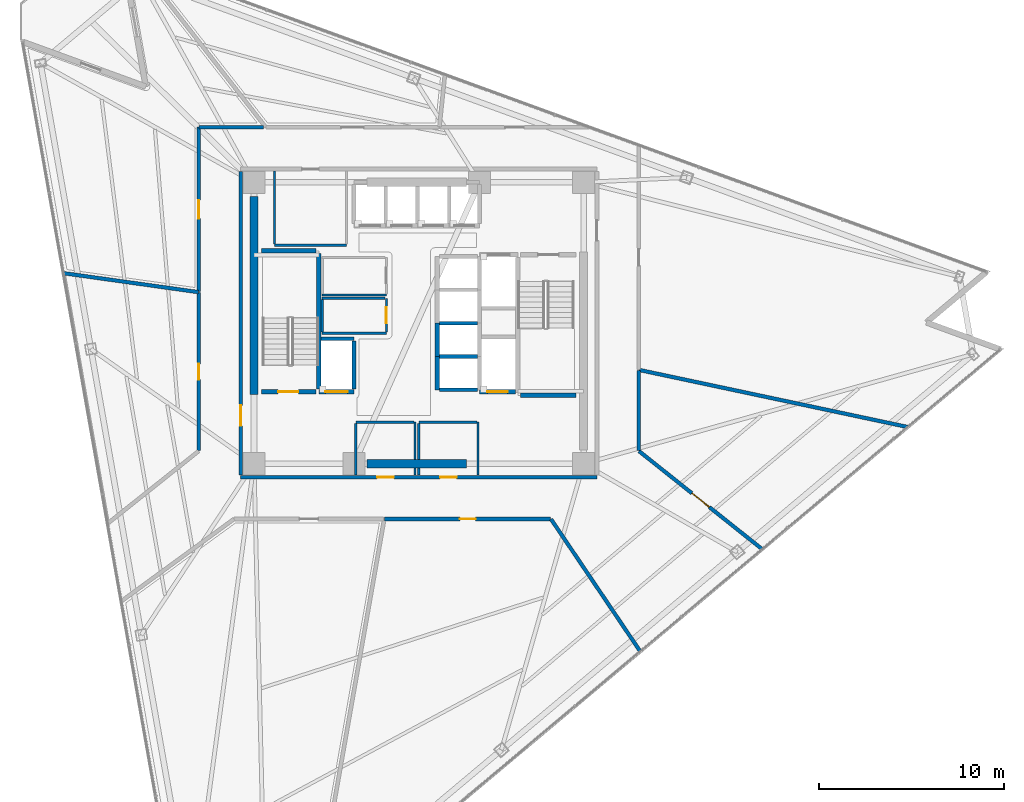
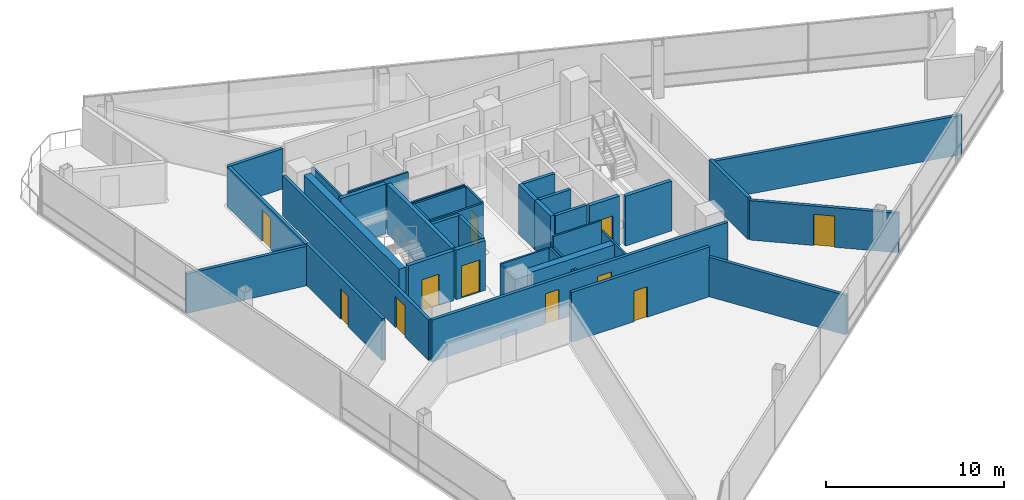
# One storey, part 10 of 16: 41 walls, 11 doors, 11 openings.
"""IFC4 building model written with IfcOpenShell, lengths in metres."""

from ifc_helpers import new_model, si_unit, direction, frame, frame_2d, origin, place, context, subcontext, project, spatial, rectangle, extrude, material, layer, layer_set, type_object, element, fill, save


model = new_model("IFC4")

# Units and contexts
model_context = context("Model", 3, precision=1e-05, world=origin(), true_north=direction((0.0, 1.0)))
body_context = subcontext(model_context, "Body", "Model", "MODEL_VIEW")
ifc_project = project(units=[si_unit("LENGTHUNIT", "METRE"), si_unit("AREAUNIT", "SQUARE_METRE"), si_unit("VOLUMEUNIT", "CUBIC_METRE"), si_unit("PLANEANGLEUNIT", "RADIAN"), si_unit("MASSUNIT", "GRAM", prefix="KILO")], contexts=[model_context])

# Site, building, storey
site_placement = place(None, origin())
site = spatial("IfcSite", under=ifc_project, at=site_placement, CompositionType="ELEMENT")
building_placement = place(site_placement, origin())
building = spatial("IfcBuilding", under=site, at=building_placement, Name="Tharavind Bronze Gate", CompositionType="ELEMENT")
storey_placement = place(building_placement, frame((0.0, 0.0, 181.300048828125)))
storey = spatial("IfcBuildingStorey", under=building, at=storey_placement, Name="L46", CompositionType="ELEMENT", Elevation=181.300048828125)

# Wall, openings, doors
ifc_material_1 = material(Name="Aerated Concrete Block", Category="concrete")
ifc_layer_1 = layer(ifc_material_1, 0.199951171875)
ifc_layer_set_1 = layer_set([ifc_layer_1], Name="Aerated Concrete Block")
wall_type_1 = type_object("IfcWallType", Name="FIRE RATED PARTITION 200", PredefinedType="PARTITIONING", material=ifc_layer_set_1)
wall_1_placement = place(storey_placement, frame((-9.6201171875, -8.320068359375, 0.0), z_axis=(0.0, 0.0, 1.0), x_axis=(1.0, 0.0, 0.0)))
wall_1 = element("IfcWall", 1, at=wall_1_placement, inside=storey, type_object=wall_type_1, Name="L46 south core corridor wall", PredefinedType="PARTITIONING", context=body_context, shape_type="SweptSolid", body=[
    extrude(rectangle(XDim=19.240234375, YDim=0.199951171875, at=frame_2d((9.6201171875, 0.0))), origin(), (0.0, 0.0, 1.0), 2.864990234375),
])
opening_1_placement = place(wall_1_placement, frame((7.3701171875, 0.0, 0.0)))
opening_1 = element("IfcOpeningElement", 2, at=opening_1_placement, cuts=wall_1, Name="Opening ID07", PredefinedType="OPENING", context=body_context, shape_type="SweptSolid", body=[
    extrude(rectangle(XDim=0.89990234375, YDim=2.10009765625, at=frame_2d((0.449951171875, 1.050048828125))), frame((0.0, 0.11009765625, 0.0), z_axis=(0.0, -1.0, 0.0), x_axis=(1.0, 0.0, 0.0)), (0.0, 0.0, 1.0), 0.219951171875),
])
opening_2_placement = place(wall_1_placement, frame((10.77001953125, 0.0, 0.0)))
opening_2 = element("IfcOpeningElement", 3, at=opening_2_placement, cuts=wall_1, Name="Opening ID07", PredefinedType="OPENING", context=body_context, shape_type="SweptSolid", body=[
    extrude(rectangle(XDim=0.89990234375, YDim=2.10009765625, at=frame_2d((0.449951171875, 1.050048828125))), frame((0.0, 0.11009765625, 0.0), z_axis=(0.0, -1.0, 0.0), x_axis=(1.0, 0.0, 0.0)), (0.0, 0.0, 1.0), 0.219951171875),
])
ifc_material_2 = material(Name="Galvanised Fire Steel", Category="steel")
door_type_1 = type_object("IfcDoorType", Name="PLANT AND RISER FIRE DOOR 900X2100", OperationType="SINGLE_SWING_LEFT", PredefinedType="DOOR", material=ifc_material_2)
door_1_placement = place(opening_1_placement, frame((0.89990234375, 0.0, 0.0), z_axis=(0.0, 0.0, 1.0), x_axis=(-1.0, 0.0, 0.0)))
door_1 = element("IfcDoor", 4, at=door_1_placement, inside=storey, type_object=door_type_1, Name="L46 Core Archive Store fire door", OperationType="SINGLE_SWING_LEFT", OverallHeight=2.10009765625, OverallWidth=0.89990234375, PredefinedType="DOOR", context=body_context, shape_type="SweptSolid", body=[
    extrude(rectangle(XDim=0.89990234375, YDim=2.10009765625, at=frame_2d((0.449951171875, 1.050048828125))), frame((0.0, 0.02490234375, 0.0), z_axis=(0.0, -1.0, 0.0), x_axis=(1.0, 0.0, 0.0)), (0.0, 0.0, 1.0), 0.050048828125),
])
fill(opening_1, door_1)
door_2_placement = place(opening_2_placement, frame((0.89990234375, 0.0, 0.0), z_axis=(0.0, 0.0, 1.0), x_axis=(-1.0, 0.0, 0.0)))
door_2 = element("IfcDoor", 5, at=door_2_placement, inside=storey, type_object=door_type_1, Name="L46 Core Server Room fire door", OperationType="SINGLE_SWING_LEFT", OverallHeight=2.10009765625, OverallWidth=0.89990234375, PredefinedType="DOOR", context=body_context, shape_type="SweptSolid", body=[
    extrude(rectangle(XDim=0.89990234375, YDim=2.10009765625, at=frame_2d((0.449951171875, 1.050048828125))), frame((0.0, 0.02490234375, 0.0), z_axis=(0.0, -1.0, 0.0), x_axis=(1.0, 0.0, 0.0)), (0.0, 0.0, 1.0), 0.050048828125),
])
fill(opening_2, door_2)

# Wall, opening, door
wall_2_placement = place(storey_placement, frame((-9.6201171875, 8.199951171875, 0.0), z_axis=(0.0, 0.0, 1.0), x_axis=(0.0, -1.0, 0.0)))
wall_2 = element("IfcWall", 6, at=wall_2_placement, inside=storey, type_object=wall_type_1, Name="L46 west core corridor wall", PredefinedType="PARTITIONING", context=body_context, shape_type="SweptSolid", body=[
    extrude(rectangle(XDim=16.39990234375, YDim=0.199951171875, at=frame_2d((8.199951171875, 0.0))), origin(), (0.0, 0.0, 1.0), 2.764892578125),
])
opening_3_placement = place(wall_2_placement, frame((12.64990234375, 0.0, 0.0)))
opening_3 = element("IfcOpeningElement", 7, at=opening_3_placement, cuts=wall_2, Name="Opening ID01", PredefinedType="OPENING", context=body_context, shape_type="SweptSolid", body=[
    extrude(rectangle(XDim=1.10009765625, YDim=2.14990234375, at=frame_2d((0.550048828125, 1.074951171875))), frame((0.0, 0.11009765625, 0.0), z_axis=(0.0, -1.0, 0.0), x_axis=(1.0, 0.0, 0.0)), (0.0, 0.0, 1.0), 0.219951171875),
])
ifc_material_3 = material(Name="Fire-Rated Steel", Category="steel")
door_type_2 = type_object("IfcDoorType", Name="STAIR CORE FIRE DOOR 1100X2150", OperationType="SINGLE_SWING_LEFT", PredefinedType="DOOR", material=ifc_material_3)
door_3_placement = place(opening_3_placement, frame((1.10009765625, 0.0, 0.0), z_axis=(0.0, 0.0, 1.0), x_axis=(-1.0, 0.0, 0.0)))
door_3 = element("IfcDoor", 8, at=door_3_placement, inside=storey, type_object=door_type_2, Name="L46 south west stair lobby fire door", OperationType="SINGLE_SWING_LEFT", OverallHeight=2.14990234375, OverallWidth=1.10009765625, PredefinedType="DOOR", context=body_context, shape_type="SweptSolid", body=[
    extrude(rectangle(XDim=1.10009765625, YDim=2.14990234375, at=frame_2d((0.550048828125, 1.074951171875))), frame((0.0, 0.02490234375, 0.0), z_axis=(0.0, -1.0, 0.0), x_axis=(1.0, 0.0, 0.0)), (0.0, 0.0, 1.0), 0.050048828125),
])
fill(opening_3, door_3)

# Wall
wall_3_placement = place(storey_placement, frame((-19.193603515625, 2.697509765625, 0.0), z_axis=(0.0, 0.0, 1.0), x_axis=(0.990266577483, -0.139183711406, 0.0)))
element("IfcWall", 9, at=wall_3_placement, inside=storey, type_object=wall_type_1, Name="L46 Public Restrooms Block partition", PredefinedType="PARTITIONING", context=body_context, shape_type="SweptSolid", body=[
    extrude(rectangle(XDim=7.36376953125, YDim=0.199951171875, at=frame_2d((3.681884765625, 0.0))), origin(), (0.0, 0.0, 1.0), 2.71484375),
])

# Wall, opening, door
wall_4_placement = place(storey_placement, frame((-11.8798828125, 1.64794921875, 0.0), z_axis=(0.0, 0.0, 1.0), x_axis=(0.0, -1.0, 0.0)))
wall_4 = element("IfcWall", 10, at=wall_4_placement, inside=storey, type_object=wall_type_1, Name="L46 Public Restrooms Block partition", PredefinedType="PARTITIONING", context=body_context, shape_type="SweptSolid", body=[
    extrude(rectangle(XDim=8.539306640625, YDim=0.199951171875, at=frame_2d((4.26953125, 0.0))), origin(), (0.0, 0.0, 1.0), 2.864990234375),
])
opening_4_placement = place(wall_4_placement, frame((3.844970703125, 0.0, 0.0)))
opening_4 = element("IfcOpeningElement", 11, at=opening_4_placement, cuts=wall_4, Name="Opening ID06", PredefinedType="OPENING", context=body_context, shape_type="SweptSolid", body=[
    extrude(rectangle(XDim=0.85009765625, YDim=2.10009765625, at=frame_2d((0.425048828125, 1.050048828125))), frame((0.0, 0.11009765625, 0.0), z_axis=(0.0, -1.0, 0.0), x_axis=(1.0, 0.0, 0.0)), (0.0, 0.0, 1.0), 0.219951171875),
])
ifc_material_4 = material(Name="Moisture-Resistant Timber", Category="wood")
door_type_3 = type_object("IfcDoorType", Name="BATHROOM PRIVACY DOOR 850X2100", OperationType="SINGLE_SWING_RIGHT", PredefinedType="DOOR", material=ifc_material_4)
door_4_placement = place(opening_4_placement, origin())
door_4 = element("IfcDoor", 12, at=door_4_placement, inside=storey, type_object=door_type_3, Name="L46 Public Restrooms Block door", OperationType="SINGLE_SWING_RIGHT", OverallHeight=2.10009765625, OverallWidth=0.85009765625, PredefinedType="DOOR", context=body_context, shape_type="SweptSolid", body=[
    extrude(rectangle(XDim=0.85009765625, YDim=2.10009765625, at=frame_2d((0.425048828125, 1.050048828125))), frame((0.0, 0.02490234375, 0.0), z_axis=(0.0, -1.0, 0.0), x_axis=(1.0, 0.0, 0.0)), (0.0, 0.0, 1.0), 0.050048828125),
])
fill(opening_4, door_4)

wall_5_placement = place(storey_placement, frame((-1.844482421875, -10.580078125, 0.0), z_axis=(0.0, 0.0, 1.0), x_axis=(1.0, 0.0, 0.0)))
wall_5 = element("IfcWall", 13, at=wall_5_placement, inside=storey, type_object=wall_type_1, Name="L46 Public Restrooms Block partition", PredefinedType="PARTITIONING", context=body_context, shape_type="SweptSolid", body=[
    extrude(rectangle(XDim=8.967529296875, YDim=0.199951171875, at=frame_2d((4.48388671875, 0.0))), origin(), (0.0, 0.0, 1.0), 3.419921875),
])
opening_5_placement = place(wall_5_placement, frame((4.05908203125, 0.0, 0.0)))
opening_5 = element("IfcOpeningElement", 14, at=opening_5_placement, cuts=wall_5, Name="Opening ID06", PredefinedType="OPENING", context=body_context, shape_type="SweptSolid", body=[
    extrude(rectangle(XDim=0.85009765625, YDim=2.10009765625, at=frame_2d((0.425048828125, 1.050048828125))), frame((0.0, 0.11009765625, 0.0), z_axis=(0.0, -1.0, 0.0), x_axis=(1.0, 0.0, 0.0)), (0.0, 0.0, 1.0), 0.219951171875),
])
door_5_placement = place(opening_5_placement, origin())
door_5 = element("IfcDoor", 15, at=door_5_placement, inside=storey, type_object=door_type_3, Name="L46 Public Restrooms Block door", OperationType="SINGLE_SWING_RIGHT", OverallHeight=2.10009765625, OverallWidth=0.85009765625, PredefinedType="DOOR", context=body_context, shape_type="SweptSolid", body=[
    extrude(rectangle(XDim=0.85009765625, YDim=2.10009765625, at=frame_2d((0.425048828125, 1.050048828125))), frame((0.0, 0.02490234375, 0.0), z_axis=(0.0, -1.0, 0.0), x_axis=(1.0, 0.0, 0.0)), (0.0, 0.0, 1.0), 0.050048828125),
])
fill(opening_5, door_5)

# Walls
wall_6_placement = place(storey_placement, frame((7.143798828125, -10.591064453125, 0.0), z_axis=(0.0, 0.0, 1.0), x_axis=(0.559187972466, -0.829040898539, 0.0)))
element("IfcWall", 16, at=wall_6_placement, inside=storey, type_object=wall_type_1, Name="L46 Public Restrooms Block partition", PredefinedType="PARTITIONING", context=body_context, shape_type="SweptSolid", body=[
    extrude(rectangle(XDim=8.5966796875, YDim=0.199951171875, at=frame_2d((4.29833984375, 0.0))), origin(), (0.0, 0.0, 1.0), 2.71484375),
])
wall_7_placement = place(storey_placement, frame((-8.399169921875, 10.580078125, 0.0), z_axis=(0.0, 0.0, 1.0), x_axis=(-1.0, 0.0, 0.0)))
element("IfcWall", 17, at=wall_7_placement, inside=storey, type_object=wall_type_1, Name="L46 Macro Research Office partition", PredefinedType="PARTITIONING", context=body_context, shape_type="SweptSolid", body=[
    extrude(rectangle(XDim=3.480224609375, YDim=0.199951171875, at=frame_2d((1.740234375, 0.0))), origin(), (0.0, 0.0, 1.0), 2.764892578125),
])

# Wall, opening, door
wall_8_placement = place(storey_placement, frame((-11.8798828125, 10.579345703125, 0.0), z_axis=(0.0, 0.0, 1.0), x_axis=(0.0, -1.0, 0.0)))
wall_8 = element("IfcWall", 18, at=wall_8_placement, inside=storey, type_object=wall_type_1, Name="L46 Macro Research Office partition", PredefinedType="PARTITIONING", context=body_context, shape_type="SweptSolid", body=[
    extrude(rectangle(XDim=8.880859375, YDim=0.199951171875, at=frame_2d((4.4404296875, 0.0))), origin(), (0.0, 0.0, 1.0), 2.764892578125),
])
opening_6_placement = place(wall_8_placement, frame((3.94091796875, 0.0, 0.0)))
opening_6 = element("IfcOpeningElement", 19, at=opening_6_placement, cuts=wall_8, Name="Opening ID04", PredefinedType="OPENING", context=body_context, shape_type="SweptSolid", body=[
    extrude(rectangle(XDim=1.0, YDim=2.14990234375, at=frame_2d((0.5, 1.074951171875))), frame((0.0, 0.11009765625, 0.0), z_axis=(0.0, -1.0, 0.0), x_axis=(1.0, 0.0, 0.0)), (0.0, 0.0, 1.0), 0.219951171875),
])
ifc_material_5 = material(Name="Bronze Framed Acoustic Timber", Category="wood")
door_type_4 = type_object("IfcDoorType", Name="OFFICE TENANCY DOOR 1000X2150", OperationType="SINGLE_SWING_RIGHT", PredefinedType="DOOR", material=ifc_material_5)
door_6_placement = place(opening_6_placement, origin())
door_6 = element("IfcDoor", 20, at=door_6_placement, inside=storey, type_object=door_type_4, Name="L46 Macro Research Office door", OperationType="SINGLE_SWING_RIGHT", OverallHeight=2.14990234375, OverallWidth=1.0, PredefinedType="DOOR", context=body_context, shape_type="SweptSolid", body=[
    extrude(rectangle(XDim=1.0, YDim=2.14990234375, at=frame_2d((0.5, 1.074951171875))), frame((0.0, 0.02490234375, 0.0), z_axis=(0.0, -1.0, 0.0), x_axis=(1.0, 0.0, 0.0)), (0.0, 0.0, 1.0), 0.050048828125),
])
fill(opening_6, door_6)

wall_9_placement = place(storey_placement, frame((18.548095703125, -12.21142578125, 0.0), z_axis=(0.0, 0.0, 1.0), x_axis=(-0.782380574332, 0.622800639778, 0.0)))
wall_9 = element("IfcWall", 21, at=wall_9_placement, inside=storey, type_object=wall_type_1, Name="L46 Visitor Reception Lounge partition", PredefinedType="PARTITIONING", context=body_context, shape_type="SweptSolid", body=[
    extrude(rectangle(XDim=8.5107421875, YDim=0.199951171875, at=frame_2d((4.25537109375, 0.0))), origin(), (0.0, 0.0, 1.0), 2.71484375),
])
opening_7_placement = place(wall_9_placement, frame((3.655029296875, 0.0, 0.0)))
opening_7 = element("IfcOpeningElement", 22, at=opening_7_placement, cuts=wall_9, Name="Opening ID05", PredefinedType="OPENING", context=body_context, shape_type="SweptSolid", body=[
    extrude(rectangle(XDim=1.199951171875, YDim=2.14990234375, at=frame_2d((0.60009765625, 1.074951171875))), frame((0.0, 0.11009765625, 0.0), z_axis=(0.0, -1.0, 0.0), x_axis=(1.0, 0.0, 0.0)), (0.0, 0.0, 1.0), 0.219951171875),
])
ifc_material_6 = material(Name="Acoustic Laminated Glass", Category="glass")
door_type_5 = type_object("IfcDoorType", Name="MEETING ROOM GLAZED DOOR 1200X2150", OperationType="SINGLE_SWING_LEFT", PredefinedType="DOOR", material=ifc_material_6)
door_7_placement = place(opening_7_placement, origin())
door_7 = element("IfcDoor", 23, at=door_7_placement, inside=storey, type_object=door_type_5, Name="L46 Visitor Reception Lounge door", OperationType="SINGLE_SWING_LEFT", OverallHeight=2.14990234375, OverallWidth=1.199951171875, PredefinedType="DOOR", context=body_context, shape_type="SweptSolid", body=[
    extrude(rectangle(XDim=1.199951171875, YDim=2.14990234375, at=frame_2d((0.60009765625, 1.074951171875))), frame((0.0, 0.02490234375, 0.0), z_axis=(0.0, -1.0, 0.0), x_axis=(1.0, 0.0, 0.0)), (0.0, 0.0, 1.0), 0.050048828125),
])
fill(opening_7, door_7)

# Walls
wall_10_placement = place(storey_placement, frame((11.8798828125, -6.891357421875, 0.0), z_axis=(0.0, 0.0, 1.0), x_axis=(0.0, 1.0, 0.0)))
element("IfcWall", 24, at=wall_10_placement, inside=storey, type_object=wall_type_1, Name="L46 Visitor Reception Lounge partition", PredefinedType="PARTITIONING", context=body_context, shape_type="SweptSolid", body=[
    extrude(rectangle(XDim=4.33544921875, YDim=0.199951171875, at=frame_2d((2.167724609375, 0.0))), origin(), (0.0, 0.0, 1.0), 2.864990234375),
])
wall_11_placement = place(storey_placement, frame((11.91015625, -2.531494140625, 0.0), z_axis=(0.0, 0.0, 1.0), x_axis=(0.978146920781, -0.207914889719, 0.0)))
element("IfcWall", 25, at=wall_11_placement, inside=storey, type_object=wall_type_1, Name="L46 Visitor Reception Lounge partition", PredefinedType="PARTITIONING", context=body_context, shape_type="SweptSolid", body=[
    extrude(rectangle(XDim=14.82470703125, YDim=0.199951171875, at=frame_2d((7.412353515625, 0.0))), origin(), (0.0, 0.0, 1.0), 2.71484375),
])
ifc_material_7 = material(Name="Metal Stud Gypsum Partition", Category="gypsum")
ifc_layer_2 = layer(ifc_material_7, 0.1201171875)
ifc_layer_set_2 = layer_set([ifc_layer_2], Name="Metal Stud Gypsum Partition")
wall_type_2 = type_object("IfcWallType", Name="INTERIOR PARTITION WALL 120", PredefinedType="PARTITIONING", material=ifc_layer_set_2)
for number, where, z_axis, x_axis, name in (
    (26, (-5.219970703125, 1.52001953125, 0.0), (0.0, 0.0, 1.0), (1.0, 0.0, 0.0), "L46 Cleaner Store Room partition 1"),
    (27, (-5.219970703125, -0.550048828125, 0.0), (0.0, 0.0, 1.0), (1.0, 0.0, 0.0), "L46 Electrical Switch Room partition 1"),
):
    element("IfcWall", number, at=place(storey_placement, frame(where, z_axis=z_axis, x_axis=x_axis)), inside=storey, type_object=wall_type_2, Name=name, PredefinedType="PARTITIONING", context=body_context, shape_type="SweptSolid", body=[
        extrude(rectangle(XDim=3.469970703125, YDim=0.1201171875, at=frame_2d((1.73486328125, 0.0))), origin(), (0.0, 0.0, 1.0), 3.419921875),
    ])

# Wall, opening, door
wall_12_placement = place(storey_placement, frame((-1.75, -0.485107421875, 0.0), z_axis=(0.0, 0.0, 1.0), x_axis=(0.0, 1.0, 0.0)))
wall_12 = element("IfcWall", 28, at=wall_12_placement, inside=storey, type_object=wall_type_2, Name="L46 Electrical Switch Room partition 2", PredefinedType="PARTITIONING", context=body_context, shape_type="SweptSolid", body=[
    extrude(rectangle(XDim=1.8251953125, YDim=0.1201171875, at=frame_2d((0.91259765625, 0.0))), origin(), (0.0, 0.0, 1.0), 3.419921875),
])
opening_8_placement = place(wall_12_placement, frame((0.488037109375, 0.0, 0.0)))
opening_8 = element("IfcOpeningElement", 29, at=opening_8_placement, cuts=wall_12, Name="Opening ID06", PredefinedType="OPENING", context=body_context, shape_type="SweptSolid", body=[
    extrude(rectangle(XDim=0.85009765625, YDim=2.10009765625, at=frame_2d((0.425048828125, 1.050048828125))), frame((0.0, 0.07005859375, 0.0), z_axis=(0.0, -1.0, 0.0), x_axis=(1.0, 0.0, 0.0)), (0.0, 0.0, 1.0), 0.1401171875),
])
door_8_placement = place(opening_8_placement, frame((0.85009765625, 0.0, 0.0), z_axis=(0.0, 0.0, 1.0), x_axis=(-1.0, 0.0, 0.0)))
door_8 = element("IfcDoor", 30, at=door_8_placement, inside=storey, type_object=door_type_3, Name="L46 Electrical Switch Room door", OperationType="SINGLE_SWING_RIGHT", OverallHeight=2.10009765625, OverallWidth=0.85009765625, PredefinedType="DOOR", context=body_context, shape_type="SweptSolid", body=[
    extrude(rectangle(XDim=0.85009765625, YDim=2.10009765625, at=frame_2d((0.425048828125, 1.050048828125))), frame((0.0, 0.02490234375, 0.0), z_axis=(0.0, -1.0, 0.0), x_axis=(1.0, 0.0, 0.0)), (0.0, 0.0, 1.0), 0.050048828125),
])
fill(opening_8, door_8)

# Walls
wall_13_placement = place(storey_placement, frame((-1.81494140625, 1.340087890625, 0.0), z_axis=(0.0, 0.0, 1.0), x_axis=(-1.0, 0.0, 0.0)))
element("IfcWall", 31, at=wall_13_placement, inside=storey, type_object=wall_type_2, Name="L46 Electrical Switch Room partition 3", PredefinedType="PARTITIONING", context=body_context, shape_type="SweptSolid", body=[
    extrude(rectangle(XDim=3.405029296875, YDim=0.1201171875, at=frame_2d((1.70263671875, 0.0))), origin(), (0.0, 0.0, 1.0), 3.419921875),
])
wall_14_placement = place(storey_placement, frame((-5.219970703125, 1.27490234375, 0.0), z_axis=(0.0, 0.0, 1.0), x_axis=(0.0, -1.0, 0.0)))
element("IfcWall", 32, at=wall_14_placement, inside=storey, type_object=wall_type_2, Name="L46 Electrical Switch Room partition 4", PredefinedType="PARTITIONING", context=body_context, shape_type="SweptSolid", body=[
    extrude(rectangle(XDim=1.760009765625, YDim=0.1201171875, at=frame_2d((0.8798828125, 0.0))), origin(), (0.0, 0.0, 1.0), 3.419921875),
])
wall_15_placement = place(storey_placement, frame((-0.199951171875, -8.215087890625, 0.0), z_axis=(0.0, 0.0, 1.0), x_axis=(0.0, 1.0, 0.0)))
element("IfcWall", 33, at=wall_15_placement, inside=storey, type_object=wall_type_2, Name="L46 Core Archive Store partition 2", PredefinedType="PARTITIONING", context=body_context, shape_type="SweptSolid", body=[
    extrude(rectangle(XDim=0.385009765625, YDim=0.1201171875, at=frame_2d((0.1923828125, 0.0))), origin(), (0.0, 0.0, 1.0), 2.71484375),
])
wall_16_placement = place(storey_placement, frame((-0.199951171875, -7.3701171875, 0.0), z_axis=(0.0, 0.0, 1.0), x_axis=(0.0, 1.0, 0.0)))
element("IfcWall", 34, at=wall_16_placement, inside=storey, type_object=wall_type_2, Name="L46 Core Archive Store partition 2", PredefinedType="PARTITIONING", context=body_context, shape_type="SweptSolid", body=[
    extrude(rectangle(XDim=2.02001953125, YDim=0.1201171875, at=frame_2d((1.010009765625, 0.0))), origin(), (0.0, 0.0, 1.0), 2.71484375),
])
wall_17_placement = place(storey_placement, frame((-0.264892578125, -5.35009765625, 0.0), z_axis=(0.0, 0.0, 1.0), x_axis=(-1.0, 0.0, 0.0)))
element("IfcWall", 35, at=wall_17_placement, inside=storey, type_object=wall_type_2, Name="L46 Core Archive Store partition 3", PredefinedType="PARTITIONING", context=body_context, shape_type="SweptSolid", body=[
    extrude(rectangle(XDim=3.135009765625, YDim=0.1201171875, at=frame_2d((1.5673828125, 0.0))), origin(), (0.0, 0.0, 1.0), 2.71484375),
])
wall_18_placement = place(storey_placement, frame((-3.39990234375, -5.4150390625, 0.0), z_axis=(0.0, 0.0, 1.0), x_axis=(0.0, -1.0, 0.0)))
element("IfcWall", 36, at=wall_18_placement, inside=storey, type_object=wall_type_2, Name="L46 Core Archive Store partition 4", PredefinedType="PARTITIONING", context=body_context, shape_type="SweptSolid", body=[
    extrude(rectangle(XDim=2.800048828125, YDim=0.1201171875, at=frame_2d((1.39990234375, 0.0))), origin(), (0.0, 0.0, 1.0), 2.71484375),
])
wall_19_placement = place(storey_placement, frame((3.199951171875, -8.215087890625, 0.0), z_axis=(0.0, 0.0, 1.0), x_axis=(0.0, 1.0, 0.0)))
element("IfcWall", 37, at=wall_19_placement, inside=storey, type_object=wall_type_2, Name="L46 Core Server Room partition 2", PredefinedType="PARTITIONING", context=body_context, shape_type="SweptSolid", body=[
    extrude(rectangle(XDim=2.864990234375, YDim=0.1201171875, at=frame_2d((1.4326171875, 0.0))), origin(), (0.0, 0.0, 1.0), 2.71484375),
])
wall_20_placement = place(storey_placement, frame((3.135009765625, -5.35009765625, 0.0), z_axis=(0.0, 0.0, 1.0), x_axis=(-1.0, 0.0, 0.0)))
element("IfcWall", 38, at=wall_20_placement, inside=storey, type_object=wall_type_2, Name="L46 Core Server Room partition 3", PredefinedType="PARTITIONING", context=body_context, shape_type="SweptSolid", body=[
    extrude(rectangle(XDim=3.135009765625, YDim=0.1201171875, at=frame_2d((1.5673828125, 0.0))), origin(), (0.0, 0.0, 1.0), 3.419921875),
])
wall_21_placement = place(storey_placement, frame((0.0, -5.4150390625, 0.0), z_axis=(0.0, 0.0, 1.0), x_axis=(0.0, -1.0, 0.0)))
element("IfcWall", 39, at=wall_21_placement, inside=storey, type_object=wall_type_2, Name="L46 Core Server Room partition 4", PredefinedType="PARTITIONING", context=body_context, shape_type="SweptSolid", body=[
    extrude(rectangle(XDim=1.955078125, YDim=0.1201171875, at=frame_2d((0.9775390625, 0.0))), origin(), (0.0, 0.0, 1.0), 2.71484375),
])
wall_22_placement = place(storey_placement, frame((0.0, -7.830078125, 0.0), z_axis=(0.0, 0.0, 1.0), x_axis=(0.0, -1.0, 0.0)))
element("IfcWall", 40, at=wall_22_placement, inside=storey, type_object=wall_type_2, Name="L46 Core Server Room partition 4", PredefinedType="PARTITIONING", context=body_context, shape_type="SweptSolid", body=[
    extrude(rectangle(XDim=0.385009765625, YDim=0.1201171875, at=frame_2d((0.1923828125, 0.0))), origin(), (0.0, 0.0, 1.0), 2.71484375),
])
wall_23_placement = place(storey_placement, frame((-7.800048828125, 4.199951171875, 0.0), z_axis=(0.0, 0.0, 1.0), x_axis=(1.0, 0.0, 0.0)))
element("IfcWall", 41, at=wall_23_placement, inside=storey, type_object=wall_type_2, Name="L46 Electrical Switch Room partition 1", PredefinedType="PARTITIONING", context=body_context, shape_type="SweptSolid", body=[
    extrude(rectangle(XDim=3.900146484375, YDim=0.1201171875, at=frame_2d((1.9501953125, 0.0))), origin(), (0.0, 0.0, 1.0), 3.419921875),
])
wall_24_placement = place(storey_placement, frame((-7.800048828125, 8.215087890625, 0.0), z_axis=(0.0, 0.0, 1.0), x_axis=(0.0, -1.0, 0.0)))
element("IfcWall", 42, at=wall_24_placement, inside=storey, type_object=wall_type_2, Name="L46 Electrical Switch Room partition 4", PredefinedType="PARTITIONING", context=body_context, shape_type="SweptSolid", body=[
    extrude(rectangle(XDim=3.9501953125, YDim=0.1201171875, at=frame_2d((1.97509765625, 0.0))), origin(), (0.0, 0.0, 1.0), 2.71484375),
])
ifc_material_8 = material(Name="Concrete C50/60", Category="concrete")
ifc_layer_3 = layer(ifc_material_8, 0.25)
ifc_layer_set_3 = layer_set([ifc_layer_3], Name="Concrete C50/60")
wall_type_3 = type_object("IfcWallType", Name="RC CORE SHEAR WALL 250", PredefinedType="SHEAR", material=ifc_layer_set_3)
wall_25_placement = place(storey_placement, frame((-5.39990234375, -3.550048828125, 0.0), z_axis=(0.0, 0.0, 1.0), x_axis=(0.0, 1.0, 0.0)))
element("IfcWall", 43, at=wall_25_placement, inside=storey, type_object=wall_type_3, Name="L46 ST1 shaft east wall", PredefinedType="SHEAR", context=body_context, shape_type="SweptSolid", body=[
    extrude(rectangle(XDim=7.300048828125, YDim=0.25, at=frame_2d((3.64990234375, 0.0))), origin(), (0.0, 0.0, 1.0), 3.419921875),
])

# Wall, opening, door
wall_26_placement = place(storey_placement, frame((-8.5, -3.699951171875, 0.0), z_axis=(0.0, 0.0, 1.0), x_axis=(1.0, 0.0, 0.0)))
wall_26 = element("IfcWall", 44, at=wall_26_placement, inside=storey, type_object=wall_type_3, Name="L46 ST1 shaft south wall", PredefinedType="SHEAR", context=body_context, shape_type="SweptSolid", body=[
    extrude(rectangle(XDim=2.949951171875, YDim=0.25, at=frame_2d((1.47509765625, 0.0))), origin(), (0.0, 0.0, 1.0), 3.419921875),
])
opening_9_placement = place(wall_26_placement, frame((0.89990234375, 0.0, 0.0)))
opening_9 = element("IfcOpeningElement", 45, at=opening_9_placement, cuts=wall_26, Name="Opening ID01", PredefinedType="OPENING", context=body_context, shape_type="SweptSolid", body=[
    extrude(rectangle(XDim=1.10009765625, YDim=2.14990234375, at=frame_2d((0.550048828125, 1.074951171875))), frame((0.0, 0.135, 0.0), z_axis=(0.0, -1.0, 0.0), x_axis=(1.0, 0.0, 0.0)), (0.0, 0.0, 1.0), 0.27),
])
door_9_placement = place(opening_9_placement, origin())
door_9 = element("IfcDoor", 46, at=door_9_placement, inside=storey, type_object=door_type_2, Name="L46 exit stair ST1 fire door", OperationType="SINGLE_SWING_LEFT", OverallHeight=2.14990234375, OverallWidth=1.10009765625, PredefinedType="DOOR", context=body_context, shape_type="SweptSolid", body=[
    extrude(rectangle(XDim=1.10009765625, YDim=2.14990234375, at=frame_2d((0.550048828125, 1.074951171875))), frame((0.0, 0.02490234375, 0.0), z_axis=(0.0, -1.0, 0.0), x_axis=(1.0, 0.0, 0.0)), (0.0, 0.0, 1.0), 0.050048828125),
])
fill(opening_9, door_9)

# Walls
wall_27_placement = place(storey_placement, frame((-8.5, 3.89990234375, 0.0), z_axis=(0.0, 0.0, 1.0), x_axis=(1.0, 0.0, 0.0)))
element("IfcWall", 47, at=wall_27_placement, inside=storey, type_object=wall_type_3, Name="L46 ST1 shaft north wall", PredefinedType="SHEAR", context=body_context, shape_type="SweptSolid", body=[
    extrude(rectangle(XDim=2.949951171875, YDim=0.25, at=frame_2d((1.47509765625, 0.0))), origin(), (0.0, 0.0, 1.0), 3.419921875),
])
wall_28_placement = place(storey_placement, frame((5.5, -3.89990234375, 0.0), z_axis=(0.0, 0.0, 1.0), x_axis=(1.0, 0.0, 0.0)))
element("IfcWall", 48, at=wall_28_placement, inside=storey, type_object=wall_type_3, Name="L46 ST2 shaft south wall", PredefinedType="SHEAR", context=body_context, shape_type="SweptSolid", body=[
    extrude(rectangle(XDim=3.0, YDim=0.25, at=frame_2d((1.5, 0.0))), origin(), (0.0, 0.0, 1.0), 3.419921875),
])
for number, where, z_axis, x_axis, name in (
    (49, (1.0, -3.60009765625, 0.0), (0.0, 0.0, 1.0), (0.0, 1.0, 0.0), "L46 lift PL9 shaft front wall"),
    (50, (1.0, -1.800048828125, 0.0), (0.0, 0.0, 1.0), (0.0, 1.0, 0.0), "L46 lift PL10 shaft front wall"),
):
    element("IfcWall", number, at=place(storey_placement, frame(where, z_axis=z_axis, x_axis=x_axis)), inside=storey, type_object=wall_type_3, Name=name, PredefinedType="SHEAR", context=body_context, shape_type="SweptSolid", body=[
        extrude(rectangle(XDim=1.800048828125, YDim=0.25, at=frame_2d((0.89990234375, 0.0))), origin(), (0.0, 0.0, 1.0), 3.419921875),
    ])

# Wall, opening, door
wall_29_placement = place(storey_placement, frame((-5.39990234375, -3.699951171875, 0.0), z_axis=(0.0, 0.0, 1.0), x_axis=(1.0, 0.0, 0.0)))
wall_29 = element("IfcWall", 51, at=wall_29_placement, inside=storey, type_object=wall_type_3, Name="L46 lift FFL1 shaft front wall", PredefinedType="SHEAR", context=body_context, shape_type="SweptSolid", body=[
    extrude(rectangle(XDim=1.89990234375, YDim=0.25, at=frame_2d((0.949951171875, 0.0))), origin(), (0.0, 0.0, 1.0), 3.419921875),
])
opening_10_placement = place(wall_29_placement, frame((0.35009765625, 0.0, 0.0)))
opening_10 = element("IfcOpeningElement", 52, at=opening_10_placement, cuts=wall_29, Name="Opening LD02", PredefinedType="OPENING", context=body_context, shape_type="SweptSolid", body=[
    extrude(rectangle(XDim=1.199951171875, YDim=2.199951171875, at=frame_2d((0.60009765625, 1.10009765625))), frame((0.0, 0.135, 0.0), z_axis=(0.0, -1.0, 0.0), x_axis=(1.0, 0.0, 0.0)), (0.0, 0.0, 1.0), 0.27),
])
ifc_material_9 = material(Name="Brushed Stainless Steel", Category="steel")
door_type_6 = type_object("IfcDoorType", Name="FIREFIGHTING LIFT LANDING DOOR 1200X2200", OperationType="SLIDING_TO_RIGHT", PredefinedType="DOOR", material=ifc_material_9)
door_10_placement = place(opening_10_placement, origin())
door_10 = element("IfcDoor", 53, at=door_10_placement, inside=storey, type_object=door_type_6, Name="L46 lift FFL1 sliding landing door", OperationType="SLIDING_TO_RIGHT", OverallHeight=2.199951171875, OverallWidth=1.199951171875, PredefinedType="DOOR", context=body_context, shape_type="SweptSolid", body=[
    extrude(rectangle(XDim=1.199951171875, YDim=2.199951171875, at=frame_2d((0.60009765625, 1.10009765625))), frame((0.0, 0.02490234375, 0.0), z_axis=(0.0, -1.0, 0.0), x_axis=(1.0, 0.0, 0.0)), (0.0, 0.0, 1.0), 0.050048828125),
])
fill(opening_10, door_10)

wall_30_placement = place(storey_placement, frame((3.280029296875, -3.699951171875, 0.0), z_axis=(0.0, 0.0, 1.0), x_axis=(1.0, 0.0, 0.0)))
wall_30 = element("IfcWall", 54, at=wall_30_placement, inside=storey, type_object=wall_type_3, Name="L46 lift SVL1 shaft front wall", PredefinedType="SHEAR", context=body_context, shape_type="SweptSolid", body=[
    extrude(rectangle(XDim=1.93994140625, YDim=0.25, at=frame_2d((0.969970703125, 0.0))), origin(), (0.0, 0.0, 1.0), 3.419921875),
])
opening_11_placement = place(wall_30_placement, frame((0.419921875, 0.0, 0.0)))
opening_11 = element("IfcOpeningElement", 55, at=opening_11_placement, cuts=wall_30, Name="Opening LD01", PredefinedType="OPENING", context=body_context, shape_type="SweptSolid", body=[
    extrude(rectangle(XDim=1.10009765625, YDim=2.199951171875, at=frame_2d((0.550048828125, 1.10009765625))), frame((0.0, 0.135, 0.0), z_axis=(0.0, -1.0, 0.0), x_axis=(1.0, 0.0, 0.0)), (0.0, 0.0, 1.0), 0.27),
])
ifc_material_10 = material(Name="Brushed Bronze Stainless Steel", Category="steel")
door_type_7 = type_object("IfcDoorType", Name="LIFT LANDING SLIDING DOOR 1100X2200", OperationType="SLIDING_TO_LEFT", PredefinedType="DOOR", material=ifc_material_10)
door_11_placement = place(opening_11_placement, origin())
door_11 = element("IfcDoor", 56, at=door_11_placement, inside=storey, type_object=door_type_7, Name="L46 lift SVL1 sliding landing door", OperationType="SLIDING_TO_LEFT", OverallHeight=2.199951171875, OverallWidth=1.10009765625, PredefinedType="DOOR", context=body_context, shape_type="SweptSolid", body=[
    extrude(rectangle(XDim=1.10009765625, YDim=2.199951171875, at=frame_2d((0.550048828125, 1.10009765625))), frame((0.0, 0.02490234375, 0.0), z_axis=(0.0, -1.0, 0.0), x_axis=(1.0, 0.0, 0.0)), (0.0, 0.0, 1.0), 0.050048828125),
])
fill(opening_11, door_11)

# Walls
ifc_material_11 = material(Name="Concrete C60/75", Category="concrete")
ifc_layer_4 = layer(ifc_material_11, 0.449951171875)
ifc_layer_set_4 = layer_set([ifc_layer_4], Name="Concrete C60/75")
wall_type_4 = type_object("IfcWallType", Name="RC CORE SHEAR WALL 450", PredefinedType="SHEAR", material=ifc_layer_set_4)
wall_31_placement = place(storey_placement, frame((-2.800048828125, -7.60009765625, 0.0), z_axis=(0.0, 0.0, 1.0), x_axis=(1.0, 0.0, 0.0)))
element("IfcWall", 57, at=wall_31_placement, inside=storey, type_object=wall_type_4, Name="L46 south core shear wall", PredefinedType="SHEAR", context=body_context, shape_type="SweptSolid", body=[
    extrude(rectangle(XDim=5.380126953125, YDim=0.449951171875, at=frame_2d((2.68994140625, 0.0))), origin(), (0.0, 0.0, 1.0), 3.419921875),
])
wall_32_placement = place(storey_placement, frame((-8.89990234375, -3.85009765625, 0.0), z_axis=(0.0, 0.0, 1.0), x_axis=(0.0, 1.0, 0.0)))
element("IfcWall", 58, at=wall_32_placement, inside=storey, type_object=wall_type_4, Name="L46 west core shear wall", PredefinedType="SHEAR", context=body_context, shape_type="SweptSolid", body=[
    extrude(rectangle(XDim=10.7001953125, YDim=0.449951171875, at=frame_2d((5.35009765625, 0.0))), origin(), (0.0, 0.0, 1.0), 3.419921875),
])
ifc_material_12 = material(Name="Concrete C40/50", Category="concrete")
ifc_layer_5 = layer(ifc_material_12, 0.199951171875)
ifc_layer_set_5 = layer_set([ifc_layer_5], Name="Concrete C40/50")
wall_type_5 = type_object("IfcWallType", Name="SHAFT ENCLOSURE WALL 200", PredefinedType="PARTITIONING", material=ifc_layer_set_5)
for number, where, z_axis, x_axis, name in (
    (59, (1.1298828125, -3.60009765625, 0.0), (0.0, 0.0, 1.0), (1.0, 0.0, 0.0), "L46 lift PL9 shaft S enclosure wall"),
    (60, (1.1298828125, -1.800048828125, 0.0), (0.0, 0.0, 1.0), (1.0, 0.0, 0.0), "L46 lift PL9 shaft N enclosure wall"),
    (61, (1.1298828125, 0.0, 0.0), (0.0, 0.0, 1.0), (1.0, 0.0, 0.0), "L46 lift PL10 shaft N enclosure wall"),
):
    element("IfcWall", number, at=place(storey_placement, frame(where, z_axis=z_axis, x_axis=x_axis)), inside=storey, type_object=wall_type_5, Name=name, PredefinedType="PARTITIONING", context=body_context, shape_type="SweptSolid", body=[
        extrude(rectangle(XDim=2.045166015625, YDim=0.199951171875, at=frame_2d((1.0224609375, 0.0))), origin(), (0.0, 0.0, 1.0), 3.419921875),
    ])
wall_33_placement = place(storey_placement, frame((-5.27001953125, -0.85009765625, 0.0), z_axis=(0.0, 0.0, 1.0), x_axis=(1.0, 0.0, 0.0)))
element("IfcWall", 62, at=wall_33_placement, inside=storey, type_object=wall_type_5, Name="L46 lift FFL1 shaft N enclosure wall", PredefinedType="PARTITIONING", context=body_context, shape_type="SweptSolid", body=[
    extrude(rectangle(XDim=1.77001953125, YDim=0.199951171875, at=frame_2d((0.885009765625, 0.0))), origin(), (0.0, 0.0, 1.0), 3.419921875),
])
wall_34_placement = place(storey_placement, frame((-3.5, -3.570068359375, 0.0), z_axis=(0.0, 0.0, 1.0), x_axis=(0.0, 1.0, 0.0)))
element("IfcWall", 63, at=wall_34_placement, inside=storey, type_object=wall_type_5, Name="L46 lift FFL1 shaft E enclosure wall", PredefinedType="PARTITIONING", context=body_context, shape_type="SweptSolid", body=[
    extrude(rectangle(XDim=2.614990234375, YDim=0.199951171875, at=frame_2d((1.3076171875, 0.0))), origin(), (0.0, 0.0, 1.0), 3.419921875),
])

save(model, "model.ifc")
